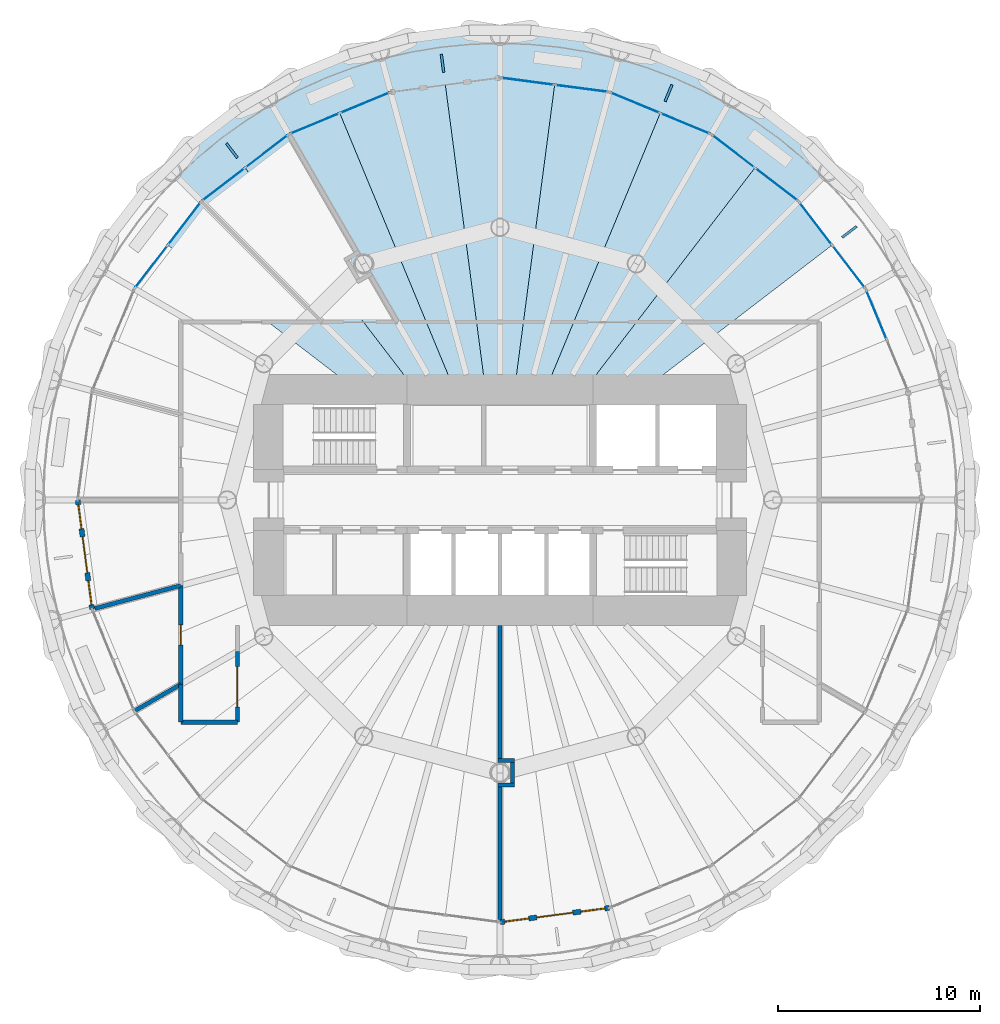
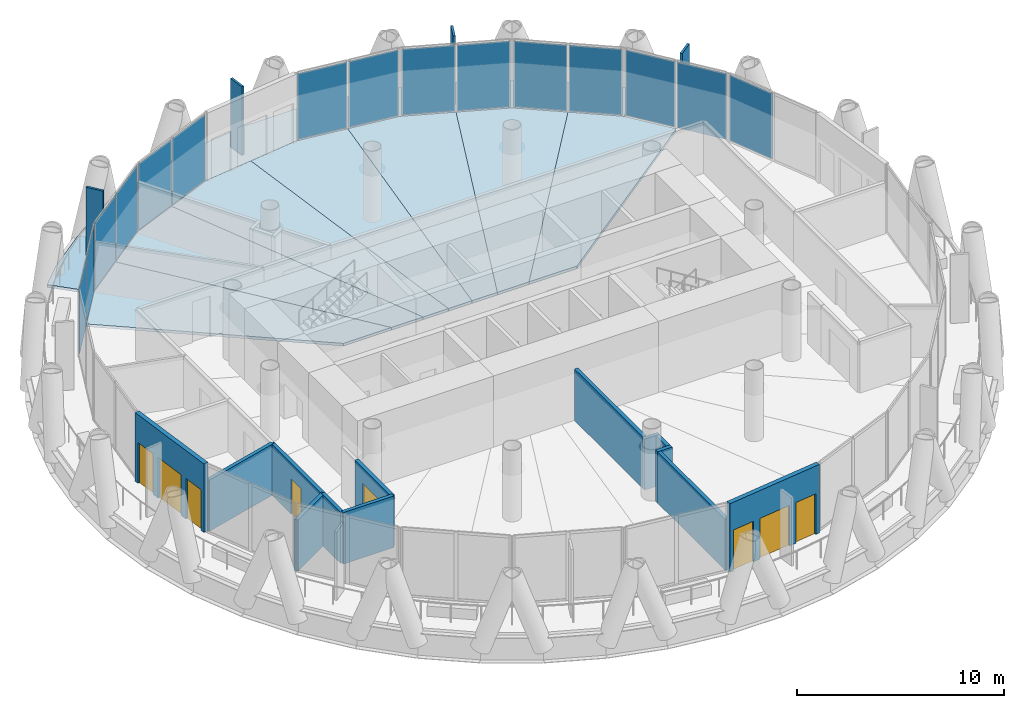
# One storey, part 9 of 14: 19 plates, 13 walls, 8 slabs, 4 doors, 4 windows, 8 openings, 8 elements without a shape of their own.
"""IFC4 building model written with IfcOpenShell, lengths in metres."""

import ifcopenshell
import ifcopenshell.guid

model = None  # the IFC model being written
_history = None  # IfcOwnerHistory: only IFC2X3 demands one
_inside = {}  # id of a spatial element -> (the spatial element, [elements in it])
_under = {}  # id of a project, library or spatial element -> (it, [spatial elements below it])
_declared = {}  # id of a project -> (the project, [libraries it declares])
_typed = {}  # id of a type object -> (the type object, [elements of that type])
_made_of = {}  # id of a material, layer set ... -> (it, [elements and type objects made of it])


def new_model(schema):
    """Start an empty IFC model of exactly this schema.

    Asked for "IFC4X3", IfcOpenShell would pick the latest addendum, in which some entities
    have other attributes; the version numbers below select the first issue.
    IFC2X3 requires an IfcOwnerHistory on every rooted entity: one is made here for all.
    """
    global model, _history
    if schema == "IFC4X3":
        model = ifcopenshell.file(schema_version=(4, 3, 0, 0))
    else:
        model = ifcopenshell.file(schema=schema)
    _inside.clear()
    _under.clear()
    _declared.clear()
    _typed.clear()
    _made_of.clear()
    _history = None
    if model.schema == "IFC2X3":
        org = make("IfcOrganization", Name="unknown")
        user = make(
            "IfcPersonAndOrganization",
            ThePerson=make("IfcPerson", FamilyName="unknown"),
            TheOrganization=org,
        )
        app = make(
            "IfcApplication",
            ApplicationDeveloper=org,
            Version="unknown",
            ApplicationFullName="unknown",
            ApplicationIdentifier="unknown",
        )
        _history = make(
            "IfcOwnerHistory",
            OwningUser=user,
            OwningApplication=app,
            ChangeAction="ADDED",
            CreationDate=0,
        )
    return model


def make(cls, **values):
    """One entity of the class cls with the attributes given. An attribute that is None is left unset."""
    return model.create_entity(
        cls, **{name: value for name, value in values.items() if value is not None}
    )


def rooted(cls, **values):
    """An entity with a GlobalId (a new one), such as an element, a storey or a relation."""
    return make(cls, GlobalId=ifcopenshell.guid.new(), OwnerHistory=_history, **values)


def si_unit(unit_type, name, prefix=None):
    """IfcSIUnit, for example si_unit("LENGTHUNIT", "METRE", prefix="MILLI")."""
    return make("IfcSIUnit", UnitType=unit_type, Prefix=prefix, Name=name)


def assignment(units):
    """IfcUnitAssignment: the units of a project."""
    return None if units is None else make("IfcUnitAssignment", Units=units)


def point(xyz):
    """IfcCartesianPoint."""
    return None if xyz is None else make("IfcCartesianPoint", Coordinates=xyz)


def direction(xyz):
    """IfcDirection."""
    return None if xyz is None else make("IfcDirection", DirectionRatios=xyz)


def frame(location, z_axis=None, x_axis=None):
    """IfcAxis2Placement3D, a coordinate frame: its origin and axes. An axis left out is left unset."""
    return make(
        "IfcAxis2Placement3D",
        Location=point(location),
        Axis=direction(z_axis),
        RefDirection=direction(x_axis),
    )


def frame_2d(location, x_axis=None):
    """IfcAxis2Placement2D, a coordinate frame in the plane: its origin and x axis."""
    return make(
        "IfcAxis2Placement2D", Location=point(location), RefDirection=direction(x_axis)
    )


def origin():
    """The frame at (0, 0, 0) with its axes left unset."""
    return frame((0.0, 0.0, 0.0))


def origin_2d():
    """The frame at (0, 0) in the plane with its x axis left unset."""
    return frame_2d((0.0, 0.0))


def place(relative_to, where):
    """IfcLocalPlacement: puts the frame where relative to a parent placement (None: the world)."""
    return make(
        "IfcLocalPlacement", PlacementRelTo=relative_to, RelativePlacement=where
    )


def context(
    kind, dimensions, precision=None, world=None, true_north=None, identifier=None
):
    """IfcGeometricRepresentationContext, for example the 3D "Model" context."""
    return make(
        "IfcGeometricRepresentationContext",
        ContextIdentifier=identifier,
        ContextType=kind,
        CoordinateSpaceDimension=dimensions,
        Precision=precision,
        WorldCoordinateSystem=world,
        TrueNorth=true_north,
    )


def subcontext(parent, identifier, kind, view, scale=None):
    """IfcGeometricRepresentationSubContext, for example "Body" below "Model"."""
    return make(
        "IfcGeometricRepresentationSubContext",
        ContextIdentifier=identifier,
        ContextType=kind,
        ParentContext=parent,
        TargetScale=scale,
        TargetView=view,
    )


def project(units=None, contexts=None):
    """IfcProject with its units and contexts."""
    return rooted(
        "IfcProject",
        Name="project",
        RepresentationContexts=contexts,
        UnitsInContext=assignment(units),
    )


def spatial(cls, under=None, at=None, **own):
    """A site, building, storey or space (cls), placed at a placement, below another one or the project."""
    s = rooted(cls, ObjectPlacement=at, **own)
    if under is not None:
        _under.setdefault(under.id(), (under, []))[1].append(s)
    return s


def polyline(points):
    """IfcPolyline through the points."""
    return make("IfcPolyline", Points=[point(p) for p in points])


def profile(cls, at=None, kind="AREA", **sizes):
    """A parametric profile (cls). Its sizes go by their IFC names, for example OverallWidth=200.0."""
    return make(cls, ProfileType=kind, Position=at, **sizes)


def rectangle(**sizes):
    """IfcRectangleProfileDef."""
    return profile("IfcRectangleProfileDef", **sizes)


def outline(outer, holes=None, kind="AREA"):
    """IfcArbitraryClosedProfileDef: a profile drawn as a closed curve; with holes, ...WithVoids."""
    if holes is None:
        return make("IfcArbitraryClosedProfileDef", ProfileType=kind, OuterCurve=outer)
    return make(
        "IfcArbitraryProfileDefWithVoids",
        ProfileType=kind,
        OuterCurve=outer,
        InnerCurves=holes,
    )


def extrude(swept, where, along, depth):
    """IfcExtrudedAreaSolid: the profile swept, set in the frame where, extruded along a direction by depth."""
    return make(
        "IfcExtrudedAreaSolid",
        SweptArea=swept,
        Position=where,
        ExtrudedDirection=direction(along),
        Depth=depth,
    )


def shape(context_of_items, identifier, shape_type, items):
    """IfcShapeRepresentation: the items that make up one representation, for example the "Body"."""
    return make(
        "IfcShapeRepresentation",
        ContextOfItems=context_of_items,
        RepresentationIdentifier=identifier,
        RepresentationType=shape_type,
        Items=items,
    )


def material(Name=None, Category=None):
    """IfcMaterial."""
    return make("IfcMaterial", Name=Name, Category=Category)


def layer(
    of_material, thickness, ventilated=None, Name=None, Category=None, Priority=None
):
    """IfcMaterialLayer: one layer of a wall or slab, of a material (None: an air gap)."""
    return make(
        "IfcMaterialLayer",
        Material=of_material,
        LayerThickness=thickness,
        IsVentilated=ventilated,
        Name=Name,
        Category=Category,
        Priority=Priority,
    )


def layer_set(layers, Name=None):
    """IfcMaterialLayerSet."""
    return make("IfcMaterialLayerSet", MaterialLayers=layers, LayerSetName=Name)


def made_of(thing, what):
    """Note that an element or type object is made of a material, layer set ...; save() writes the relation."""
    if what is not None:
        _made_of.setdefault(what.id(), (what, []))[1].append(thing)
    return thing


def type_object(cls, material=None, **own):
    """A type object (cls), such as IfcWallType, which elements share."""
    return made_of(rooted(cls, **own), material)


def element(
    cls,
    number,
    at=None,
    inside=None,
    cuts=None,
    type_object=None,
    material=None,
    context=None,
    identifier="Body",
    shape_type=None,
    held_by="IfcProductDefinitionShape",
    body=None,
    shapes=None,
    **own,
):
    """One element of the class cls, such as IfcWall. Its Tag is "e" and its number.

    at: its placement. inside: the storey or other place that contains it. cuts: it is an
    opening in that element (IfcRelVoidsElement). A single representation is given by context,
    identifier, shape_type and body (its items); several are given by shapes. held_by: the class
    of the entity that holds the representations. save() writes the other relations.
    """
    e = rooted(cls, Tag="e%d" % number, ObjectPlacement=at, **own)
    if body is not None:
        shapes = [shape(context, identifier, shape_type, body)]
    if shapes is not None:
        e.Representation = make(held_by, Representations=shapes)
    if inside is not None:
        _inside.setdefault(inside.id(), (inside, []))[1].append(e)
    if cuts is not None:
        rooted(
            "IfcRelVoidsElement", RelatingBuildingElement=cuts, RelatedOpeningElement=e
        )
    if type_object is not None:
        _typed.setdefault(type_object.id(), (type_object, []))[1].append(e)
    return made_of(e, material)


def fill(opening, filler):
    """IfcRelFillsElement: the door or window that sits in an opening."""
    return rooted(
        "IfcRelFillsElement",
        RelatingOpeningElement=opening,
        RelatedBuildingElement=filler,
    )


def aggregate(whole, parts):
    """IfcRelAggregates: a whole, such as a stair, and the parts it consists of."""
    return rooted("IfcRelAggregates", RelatingObject=whole, RelatedObjects=parts)


def save(model, path):
    """Write the relations noted so far, then the file.

    IfcRelAggregates (storeys below a building ...), IfcRelContainedInSpatialStructure (elements
    in a storey), IfcRelDefinesByType, IfcRelAssociatesMaterial and IfcRelDeclares: one each for
    every whole, place, type object, material and project.
    """
    for whole, parts in _under.values():
        aggregate(whole, parts)
    for where, things in _inside.values():
        rooted(
            "IfcRelContainedInSpatialStructure",
            RelatedElements=things,
            RelatingStructure=where,
        )
    for kind, things in _typed.values():
        rooted("IfcRelDefinesByType", RelatedObjects=things, RelatingType=kind)
    for what, things in _made_of.values():
        rooted("IfcRelAssociatesMaterial", RelatedObjects=things, RelatingMaterial=what)
    for by, libraries in _declared.values():
        rooted("IfcRelDeclares", RelatingContext=by, RelatedDefinitions=libraries)
    model.write(path)


model = new_model("IFC4")

# Units and contexts
model_context = context("Model", 3, precision=1e-05, world=origin(), true_north=direction((0.0, 1.0)))
body_context = subcontext(model_context, "Body", "Model", "MODEL_VIEW")
ifc_project = project(units=[si_unit("LENGTHUNIT", "METRE"), si_unit("AREAUNIT", "SQUARE_METRE"), si_unit("VOLUMEUNIT", "CUBIC_METRE"), si_unit("PLANEANGLEUNIT", "RADIAN"), si_unit("MASSUNIT", "GRAM", prefix="KILO")], contexts=[model_context])

# Site, building, storey
site_placement = place(None, origin())
site = spatial("IfcSite", under=ifc_project, at=site_placement, CompositionType="ELEMENT")
building_placement = place(site_placement, origin())
building = spatial("IfcBuilding", under=site, at=building_placement, Name="Qaws Media Tower", CompositionType="ELEMENT")
storey_placement = place(building_placement, frame((0.0, 0.0, 206.60009765625)))
storey = spatial("IfcBuildingStorey", under=building, at=storey_placement, Name="L47", CompositionType="ELEMENT", Elevation=206.60009765625)

# Slabs
ifc_material_1 = material(Name="Concrete C35/45", Category="concrete")
ifc_layer_1 = layer(ifc_material_1, 0.159912109375)
ifc_layer_set_1 = layer_set([ifc_layer_1], Name="Composite balcony slab 160")
slab_type_1 = type_object("IfcSlabType", Name="Composite balcony slab 160", PredefinedType="FLOOR", material=ifc_layer_set_1)
slab_1_placement = place(storey_placement, frame((0.0, 0.0, -0.16015625)))
element("IfcSlab", 1, at=slab_1_placement, inside=storey, type_object=slab_type_1, Name="S2 balcony slab L47 R04 to R10, movement joints on R04 and R10", PredefinedType="FLOOR", context=body_context, shape_type="SweptSolid", body=[
    extrude(outline(polyline([(44.63720703125, 67.517822265625), (47.05517578125, 69.373291015625), (49.694580078125, 70.897216796875), (52.510498046875, 72.0634765625), (55.454345703125, 72.852294921875), (58.47607421875, 73.25), (61.52392578125, 73.25), (64.545654296875, 72.852294921875), (67.489501953125, 72.0634765625), (70.305419921875, 70.897216796875), (72.94482421875, 69.373291015625), (75.36279296875, 67.517822265625), (76.440185546875, 66.440185546875), (74.778564453125, 64.778564453125), (70.449951171875, 68.099853515625), (65.4091796875, 70.187744140625), (60.0, 70.89990234375), (54.5908203125, 70.187744140625), (49.550048828125, 68.099853515625), (45.221435546875, 64.778564453125), (43.559814453125, 66.440185546875), (44.63720703125, 67.517822265625)])), origin(), (0.0, 0.0, 1.0), 0.16015625),
])
ifc_material_2 = material(Name="Concrete C35/45", Category="concrete")
ifc_layer_2 = layer(ifc_material_2, 0.159912109375)
ifc_layer_set_2 = layer_set([ifc_layer_2], Name="Composite floor slab 160")
slab_type_2 = type_object("IfcSlabType", Name="Composite floor slab 160", PredefinedType="FLOOR", material=ifc_layer_set_2)
slab_2_placement = place(storey_placement, frame((0.0, 0.0, -0.16015625)))
element("IfcSlab", 2, at=slab_2_placement, inside=storey, type_object=slab_type_2, Name="S1 floor panel L47 on R04", PredefinedType="FLOOR", context=body_context, shape_type="SweptSolid", body=[
    extrude(outline(polyline([(74.778564453125, 64.778564453125), (76.439208984375, 62.6142578125), (66.51611328125, 55.0), (63.836669921875, 55.0), (72.6142578125, 66.439208984375), (74.778564453125, 64.778564453125)])), origin(), (0.0, 0.0, 1.0), 0.16015625),
])
slab_3_placement = place(storey_placement, frame((0.0, 0.0, -0.16015625)))
element("IfcSlab", 3, at=slab_3_placement, inside=storey, type_object=slab_type_2, Name="S1 floor panel L47 on R05", PredefinedType="FLOOR", context=body_context, shape_type="SweptSolid", body=[
    extrude(outline(polyline([(70.449951171875, 68.099853515625), (72.6142578125, 66.439208984375), (63.836669921875, 55.0), (62.071044921875, 55.0), (67.9296875, 69.143798828125), (70.449951171875, 68.099853515625)])), origin(), (0.0, 0.0, 1.0), 0.16015625),
])
slab_4_placement = place(storey_placement, frame((0.0, 0.0, -0.16015625)))
element("IfcSlab", 4, at=slab_4_placement, inside=storey, type_object=slab_type_2, Name="S1 floor panel L47 on R06", PredefinedType="FLOOR", context=body_context, shape_type="SweptSolid", body=[
    extrude(outline(polyline([(65.4091796875, 70.187744140625), (67.9296875, 69.143798828125), (62.071044921875, 55.0), (60.658203125, 55.0), (62.70458984375, 70.5439453125), (65.4091796875, 70.187744140625)])), origin(), (0.0, 0.0, 1.0), 0.16015625),
])
slab_5_placement = place(storey_placement, frame((0.0, 0.0, -0.16015625)))
element("IfcSlab", 5, at=slab_5_placement, inside=storey, type_object=slab_type_2, Name="S1 floor panel L47 on R07", PredefinedType="FLOOR", context=body_context, shape_type="SweptSolid", body=[
    extrude(outline(polyline([(60.0, 70.89990234375), (62.70458984375, 70.5439453125), (60.658203125, 55.0), (59.341796875, 55.0), (57.29541015625, 70.5439453125), (60.0, 70.89990234375)])), origin(), (0.0, 0.0, 1.0), 0.16015625),
])
slab_6_placement = place(storey_placement, frame((0.0, 0.0, -0.16015625)))
element("IfcSlab", 6, at=slab_6_placement, inside=storey, type_object=slab_type_2, Name="S1 floor panel L47 on R08", PredefinedType="FLOOR", context=body_context, shape_type="SweptSolid", body=[
    extrude(outline(polyline([(54.5908203125, 70.187744140625), (57.29541015625, 70.5439453125), (59.341796875, 55.0), (57.928955078125, 55.0), (52.0703125, 69.143798828125), (54.5908203125, 70.187744140625)])), origin(), (0.0, 0.0, 1.0), 0.16015625),
])
slab_7_placement = place(storey_placement, frame((0.0, 0.0, -0.16015625)))
element("IfcSlab", 7, at=slab_7_placement, inside=storey, type_object=slab_type_2, Name="S1 floor panel L47 on R09", PredefinedType="FLOOR", context=body_context, shape_type="SweptSolid", body=[
    extrude(outline(polyline([(49.550048828125, 68.099853515625), (52.0703125, 69.143798828125), (57.928955078125, 55.0), (56.163330078125, 55.0), (47.3857421875, 66.439208984375), (49.550048828125, 68.099853515625)])), origin(), (0.0, 0.0, 1.0), 0.16015625),
])
slab_8_placement = place(storey_placement, frame((0.0, 0.0, -0.16015625)))
element("IfcSlab", 8, at=slab_8_placement, inside=storey, type_object=slab_type_2, Name="S1 floor panel L47 on R10", PredefinedType="FLOOR", context=body_context, shape_type="SweptSolid", body=[
    extrude(outline(polyline([(45.221435546875, 64.778564453125), (47.3857421875, 66.439208984375), (56.163330078125, 55.0), (53.48388671875, 55.0), (43.560791015625, 62.6142578125), (45.221435546875, 64.778564453125)])), origin(), (0.0, 0.0, 1.0), 0.16015625),
])

# Curtain wall, plate
ifc_material_3 = material(Name="Aluminium and clear glass", Category="aluminium")
curtain_wall_type = type_object("IfcCurtainWallType", Name="Unitised curtain wall CW-C", PredefinedType="NOTDEFINED", material=ifc_material_3)
curtain_wall_1_placement = place(storey_placement, origin())
curtain_wall_1 = element("IfcCurtainWall", 9, at=curtain_wall_1_placement, inside=storey, type_object=curtain_wall_type, Name="CWC curtain wall L47-02", PredefinedType="NOTDEFINED")
ifc_material_4 = material(Name="Clear laminated double glazing", Category="glass")
ifc_layer_3 = layer(ifc_material_4, 0.031982421875)
ifc_layer_set_3 = layer_set([ifc_layer_3], Name="Curtain wall glass unit 32")
plate_type_1 = type_object("IfcPlateType", Name="Curtain wall glass unit 32", PredefinedType="CURTAIN_PANEL", material=ifc_layer_set_3)
plate_1_placement = place(storey_placement, frame((78.629638671875, 59.17138671875, 0.080078125), z_axis=(0.0, 0.0, 1.0), x_axis=(-0.382683456149, 0.92387952266, 0.0)))
plate_1 = element("IfcPlate", 10, at=plate_1_placement, type_object=plate_type_1, Name="CWC panel 2.1", PredefinedType="CURTAIN_PANEL", context=body_context, shape_type="SweptSolid", body=[
    extrude(rectangle(XDim=2.60791015625, YDim=0.031982421875, at=origin_2d()), origin(), (0.0, 0.0, 1.0), 3.8798828125),
])
aggregate(curtain_wall_1, [plate_1])

# Curtain wall, plates
curtain_wall_2_placement = place(storey_placement, origin())
curtain_wall_2 = element("IfcCurtainWall", 11, at=curtain_wall_2_placement, inside=storey, type_object=curtain_wall_type, Name="CWC curtain wall L47-03", PredefinedType="NOTDEFINED")
plate_2_placement = place(storey_placement, frame((77.25732421875, 61.548095703125, 0.080078125), z_axis=(0.0, 0.0, 1.0), x_axis=(-0.608761380338, 0.793353377638, 0.0)))
plate_2 = element("IfcPlate", 12, at=plate_2_placement, type_object=plate_type_1, Name="CWC panel 1.1", PredefinedType="CURTAIN_PANEL", context=body_context, shape_type="SweptSolid", body=[
    extrude(rectangle(XDim=2.60791015625, YDim=0.031982421875, at=origin_2d()), origin(), (0.0, 0.0, 1.0), 3.8798828125),
])
plate_3_placement = place(storey_placement, frame((75.62109375, 63.680419921875, 0.080078125), z_axis=(0.0, 0.0, 1.0), x_axis=(-0.608761380338, 0.793353377638, 0.0)))
plate_3 = element("IfcPlate", 13, at=plate_3_placement, type_object=plate_type_1, Name="CWC panel 2.1", PredefinedType="CURTAIN_PANEL", context=body_context, shape_type="SweptSolid", body=[
    extrude(rectangle(XDim=2.60791015625, YDim=0.031982421875, at=origin_2d()), origin(), (0.0, 0.0, 1.0), 3.8798828125),
])
aggregate(curtain_wall_2, [plate_2, plate_3])

curtain_wall_3_placement = place(storey_placement, origin())
curtain_wall_3 = element("IfcCurtainWall", 14, at=curtain_wall_3_placement, inside=storey, type_object=curtain_wall_type, Name="CWC curtain wall L47-04", PredefinedType="NOTDEFINED")
plate_4_placement = place(storey_placement, frame((73.680419921875, 65.62109375, 0.080078125), z_axis=(0.0, 0.0, 1.0), x_axis=(-0.793353377638, 0.608761380338, 0.0)))
plate_4 = element("IfcPlate", 15, at=plate_4_placement, type_object=plate_type_1, Name="CWC panel 1.1", PredefinedType="CURTAIN_PANEL", context=body_context, shape_type="SweptSolid", body=[
    extrude(rectangle(XDim=2.60791015625, YDim=0.031982421875, at=origin_2d()), origin(), (0.0, 0.0, 1.0), 3.8798828125),
])
plate_5_placement = place(storey_placement, frame((71.548095703125, 67.25732421875, 0.080078125), z_axis=(0.0, 0.0, 1.0), x_axis=(-0.793353377638, 0.608761380338, 0.0)))
plate_5 = element("IfcPlate", 16, at=plate_5_placement, type_object=plate_type_1, Name="CWC panel 2.1", PredefinedType="CURTAIN_PANEL", context=body_context, shape_type="SweptSolid", body=[
    extrude(rectangle(XDim=2.60791015625, YDim=0.031982421875, at=origin_2d()), origin(), (0.0, 0.0, 1.0), 3.8798828125),
])
aggregate(curtain_wall_3, [plate_4, plate_5])

curtain_wall_4_placement = place(storey_placement, origin())
curtain_wall_4 = element("IfcCurtainWall", 17, at=curtain_wall_4_placement, inside=storey, type_object=curtain_wall_type, Name="CWC curtain wall L47-05", PredefinedType="NOTDEFINED")
plate_6_placement = place(storey_placement, frame((69.17138671875, 68.629638671875, 0.080078125), z_axis=(0.0, 0.0, 1.0), x_axis=(-0.92387952266, 0.382683456149, 0.0)))
plate_6 = element("IfcPlate", 18, at=plate_6_placement, type_object=plate_type_1, Name="CWC panel 1.1", PredefinedType="CURTAIN_PANEL", context=body_context, shape_type="SweptSolid", body=[
    extrude(rectangle(XDim=2.60791015625, YDim=0.031982421875, at=origin_2d()), origin(), (0.0, 0.0, 1.0), 3.8798828125),
])
plate_7_placement = place(storey_placement, frame((66.68798828125, 69.658203125, 0.080078125), z_axis=(0.0, 0.0, 1.0), x_axis=(-0.92387952266, 0.382683456149, 0.0)))
plate_7 = element("IfcPlate", 19, at=plate_7_placement, type_object=plate_type_1, Name="CWC panel 2.1", PredefinedType="CURTAIN_PANEL", context=body_context, shape_type="SweptSolid", body=[
    extrude(rectangle(XDim=2.60791015625, YDim=0.031982421875, at=origin_2d()), origin(), (0.0, 0.0, 1.0), 3.8798828125),
])
aggregate(curtain_wall_4, [plate_6, plate_7])

curtain_wall_5_placement = place(storey_placement, origin())
curtain_wall_5 = element("IfcCurtainWall", 20, at=curtain_wall_5_placement, inside=storey, type_object=curtain_wall_type, Name="CWC curtain wall L47-06", PredefinedType="NOTDEFINED")
plate_8_placement = place(storey_placement, frame((64.037109375, 70.368408203125, 0.080078125), z_axis=(0.0, 0.0, 1.0), x_axis=(-0.991444866709, 0.130526151694, 0.0)))
plate_8 = element("IfcPlate", 21, at=plate_8_placement, type_object=plate_type_1, Name="CWC panel 1.1", PredefinedType="CURTAIN_PANEL", context=body_context, shape_type="SweptSolid", body=[
    extrude(rectangle(XDim=2.60791015625, YDim=0.031982421875, at=origin_2d()), origin(), (0.0, 0.0, 1.0), 3.8798828125),
])
plate_9_placement = place(storey_placement, frame((61.3720703125, 70.71923828125, 0.080078125), z_axis=(0.0, 0.0, 1.0), x_axis=(-0.991444866709, 0.130526151694, 0.0)))
plate_9 = element("IfcPlate", 22, at=plate_9_placement, type_object=plate_type_1, Name="CWC panel 2.1", PredefinedType="CURTAIN_PANEL", context=body_context, shape_type="SweptSolid", body=[
    extrude(rectangle(XDim=2.60791015625, YDim=0.031982421875, at=origin_2d()), origin(), (0.0, 0.0, 1.0), 3.8798828125),
])
aggregate(curtain_wall_5, [plate_8, plate_9])

curtain_wall_6_placement = place(storey_placement, origin())
curtain_wall_6 = element("IfcCurtainWall", 23, at=curtain_wall_6_placement, inside=storey, type_object=curtain_wall_type, Name="CWC curtain wall L47-08", PredefinedType="NOTDEFINED")
plate_10_placement = place(storey_placement, frame((53.31201171875, 69.658203125, 0.080078125), z_axis=(0.0, 0.0, 1.0), x_axis=(-0.92387952266, -0.382683456149, 0.0)))
plate_10 = element("IfcPlate", 24, at=plate_10_placement, type_object=plate_type_1, Name="CWC panel 1.1", PredefinedType="CURTAIN_PANEL", context=body_context, shape_type="SweptSolid", body=[
    extrude(rectangle(XDim=2.60791015625, YDim=0.031982421875, at=origin_2d()), origin(), (0.0, 0.0, 1.0), 3.8798828125),
])
plate_11_placement = place(storey_placement, frame((50.82861328125, 68.629638671875, 0.080078125), z_axis=(0.0, 0.0, 1.0), x_axis=(-0.92387952266, -0.382683456149, 0.0)))
plate_11 = element("IfcPlate", 25, at=plate_11_placement, type_object=plate_type_1, Name="CWC panel 2.1", PredefinedType="CURTAIN_PANEL", context=body_context, shape_type="SweptSolid", body=[
    extrude(rectangle(XDim=2.60791015625, YDim=0.031982421875, at=origin_2d()), origin(), (0.0, 0.0, 1.0), 3.8798828125),
])
aggregate(curtain_wall_6, [plate_10, plate_11])

curtain_wall_7_placement = place(storey_placement, origin())
curtain_wall_7 = element("IfcCurtainWall", 26, at=curtain_wall_7_placement, inside=storey, type_object=curtain_wall_type, Name="CWC curtain wall L47-09", PredefinedType="NOTDEFINED")
plate_12_placement = place(storey_placement, frame((48.451904296875, 67.25732421875, 0.080078125), z_axis=(0.0, 0.0, 1.0), x_axis=(-0.793353377638, -0.608761380338, 0.0)))
plate_12 = element("IfcPlate", 27, at=plate_12_placement, type_object=plate_type_1, Name="CWC panel 1.1", PredefinedType="CURTAIN_PANEL", context=body_context, shape_type="SweptSolid", body=[
    extrude(rectangle(XDim=2.60791015625, YDim=0.031982421875, at=origin_2d()), origin(), (0.0, 0.0, 1.0), 3.8798828125),
])
plate_13_placement = place(storey_placement, frame((46.319580078125, 65.62109375, 0.080078125), z_axis=(0.0, 0.0, 1.0), x_axis=(-0.793353377638, -0.608761380338, 0.0)))
plate_13 = element("IfcPlate", 28, at=plate_13_placement, type_object=plate_type_1, Name="CWC panel 2.1", PredefinedType="CURTAIN_PANEL", context=body_context, shape_type="SweptSolid", body=[
    extrude(rectangle(XDim=2.60791015625, YDim=0.031982421875, at=origin_2d()), origin(), (0.0, 0.0, 1.0), 3.8798828125),
])
aggregate(curtain_wall_7, [plate_12, plate_13])

curtain_wall_8_placement = place(storey_placement, origin())
curtain_wall_8 = element("IfcCurtainWall", 29, at=curtain_wall_8_placement, inside=storey, type_object=curtain_wall_type, Name="CWC curtain wall L47-10", PredefinedType="NOTDEFINED")
plate_14_placement = place(storey_placement, frame((44.37890625, 63.680419921875, 0.080078125), z_axis=(0.0, 0.0, 1.0), x_axis=(-0.608761380338, -0.793353377638, 0.0)))
plate_14 = element("IfcPlate", 30, at=plate_14_placement, type_object=plate_type_1, Name="CWC panel 1.1", PredefinedType="CURTAIN_PANEL", context=body_context, shape_type="SweptSolid", body=[
    extrude(rectangle(XDim=2.60791015625, YDim=0.031982421875, at=origin_2d()), origin(), (0.0, 0.0, 1.0), 3.8798828125),
])
plate_15_placement = place(storey_placement, frame((42.74267578125, 61.548095703125, 0.080078125), z_axis=(0.0, 0.0, 1.0), x_axis=(-0.608761380338, -0.793353377638, 0.0)))
plate_15 = element("IfcPlate", 31, at=plate_15_placement, type_object=plate_type_1, Name="CWC panel 2.1", PredefinedType="CURTAIN_PANEL", context=body_context, shape_type="SweptSolid", body=[
    extrude(rectangle(XDim=2.60791015625, YDim=0.031982421875, at=origin_2d()), origin(), (0.0, 0.0, 1.0), 3.8798828125),
])
aggregate(curtain_wall_8, [plate_14, plate_15])

# Plates
ifc_material_5 = material(Name="Precast concrete screen fin", Category="concrete")
ifc_layer_4 = layer(ifc_material_5, 0.1201171875)
ifc_layer_set_4 = layer_set([ifc_layer_4], Name="Screen fin 120x900")
plate_type_2 = type_object("IfcPlateType", Name="Screen fin 120x900", PredefinedType="USERDEFINED", material=ifc_layer_set_4)
for number, where, z_axis, x_axis, name in (
    (32, (77.295166015625, 63.27099609375, 0.0), (0.0, 0.0, 1.0), (0.793353340291, 0.608761429009, 0.0), "SCR1 screen fin L47-02"),
    (33, (68.342529296875, 70.140625, 0.0), (0.0, 0.0, 1.0), (0.382683432365, 0.923879532511, 0.0), "SCR1 screen fin L47-03"),
    (34, (57.154541015625, 71.613525390625, 0.0), (0.0, 0.0, 1.0), (-0.13052619222, 0.991444861374, 0.0), "SCR1 screen fin L47-04"),
    (35, (46.72900390625, 67.295166015625, 0.0), (0.0, 0.0, 1.0), (-0.608761429009, 0.793353340291, 0.0), "SCR1 screen fin L47-05"),
):
    element("IfcPlate", number, at=place(storey_placement, frame(where, z_axis=z_axis, x_axis=x_axis)), inside=storey, type_object=plate_type_2, Name=name, ObjectType="SCREEN", PredefinedType="USERDEFINED", context=body_context, shape_type="SweptSolid", body=[
        extrude(rectangle(XDim=0.89990234375, YDim=0.1201171875, at=origin_2d()), origin(), (0.0, 0.0, 1.0), 4.0400390625),
    ])

# Wall, openings, door, windows
ifc_material_6 = material(Name="Precast concrete, exposed finish", Category="concrete")
ifc_layer_5 = layer(ifc_material_6, 0.25)
ifc_layer_set_5 = layer_set([ifc_layer_5], Name="Balcony door wall 250")
wall_type_1 = type_object("IfcWallType", Name="Balcony door wall 250", PredefinedType="SOLIDWALL", material=ifc_layer_set_5)
wall_1_placement = place(storey_placement, frame((39.10009765625, 50.0, 0.0), z_axis=(0.0, 0.0, 1.0), x_axis=(0.130525119492, -0.991445002601, 0.0)))
wall_1 = element("IfcWall", 36, at=wall_1_placement, inside=storey, type_object=wall_type_1, Name="W109 EW1 balcony door wall L47-13", PredefinedType="SOLIDWALL", context=body_context, shape_type="SweptSolid", body=[
    extrude(rectangle(XDim=5.4560546875, YDim=0.25, at=frame_2d((2.72802734375, 0.0))), origin(), (0.0, 0.0, 1.0), 4.039794921875),
])
opening_1_placement = place(wall_1_placement, frame((1.827880859375, 0.0, 0.0)))
opening_1 = element("IfcOpeningElement", 37, at=opening_1_placement, cuts=wall_1, Name="Opening D7", PredefinedType="OPENING", context=body_context, shape_type="SweptSolid", body=[
    extrude(rectangle(XDim=1.800048828125, YDim=2.39990234375, at=frame_2d((0.89990234375, 1.199951171875))), frame((0.0, 0.135009765625, 0.0), z_axis=(0.0, -1.0, 0.0), x_axis=(1.0, 0.0, 0.0)), (0.0, 0.0, 1.0), 0.27001953125),
])
opening_2_placement = place(wall_1_placement, frame((0.22802734375, 0.0, 0.0)))
opening_2 = element("IfcOpeningElement", 38, at=opening_2_placement, cuts=wall_1, Name="Opening W1", PredefinedType="OPENING", context=body_context, shape_type="SweptSolid", body=[
    extrude(rectangle(XDim=1.199951171875, YDim=2.39990234375, at=frame_2d((0.60009765625, 1.199951171875))), frame((0.0, 0.135009765625, 0.0), z_axis=(0.0, -1.0, 0.0), x_axis=(1.0, 0.0, 0.0)), (0.0, 0.0, 1.0), 0.27001953125),
])
opening_3_placement = place(wall_1_placement, frame((4.028076171875, 0.0, 0.0)))
opening_3 = element("IfcOpeningElement", 39, at=opening_3_placement, cuts=wall_1, Name="Opening W1", PredefinedType="OPENING", context=body_context, shape_type="SweptSolid", body=[
    extrude(rectangle(XDim=1.199951171875, YDim=2.39990234375, at=frame_2d((0.60009765625, 1.199951171875))), frame((0.0, 0.135009765625, 0.0), z_axis=(0.0, -1.0, 0.0), x_axis=(1.0, 0.0, 0.0)), (0.0, 0.0, 1.0), 0.27001953125),
])
ifc_material_7 = material(Name="Aluminium and clear glass", Category="aluminium")
door_type_1 = type_object("IfcDoorType", Name="Balcony door pair 1800", OperationType="DOUBLE_DOOR_SLIDING", PredefinedType="DOOR", material=ifc_material_7)
door_1_placement = place(opening_1_placement, origin())
door_1 = element("IfcDoor", 40, at=door_1_placement, inside=storey, type_object=door_type_1, Name="D7 balcony door L47-13 in wall W109", OperationType="DOUBLE_DOOR_SLIDING", OverallHeight=2.39990234375, OverallWidth=1.800048828125, PredefinedType="DOOR", context=body_context, shape_type="SweptSolid", body=[
    extrude(rectangle(XDim=1.800048828125, YDim=2.39990234375, at=frame_2d((0.89990234375, 1.199951171875))), frame((0.0, 0.02490234375, 0.0), z_axis=(0.0, -1.0, 0.0), x_axis=(1.0, 0.0, 0.0)), (0.0, 0.0, 1.0), 0.050048828125),
])
fill(opening_1, door_1)
ifc_material_8 = material(Name="Aluminium and clear glass", Category="aluminium")
window_type = type_object("IfcWindowType", Name="Balcony side window 1200", PartitioningType="SINGLE_PANEL", PredefinedType="WINDOW", material=ifc_material_8)
window_1_placement = place(opening_2_placement, origin())
window_1 = element("IfcWindow", 41, at=window_1_placement, inside=storey, type_object=window_type, Name="W1 balcony side light L47-13L", OverallHeight=2.39990234375, OverallWidth=1.199951171875, PartitioningType="SINGLE_PANEL", PredefinedType="WINDOW", context=body_context, shape_type="SweptSolid", body=[
    extrude(rectangle(XDim=1.199951171875, YDim=2.39990234375, at=frame_2d((0.60009765625, 1.199951171875))), frame((0.0, 0.030029296875, 0.0), z_axis=(0.0, -1.0, 0.0), x_axis=(1.0, 0.0, 0.0)), (0.0, 0.0, 1.0), 0.06005859375),
])
fill(opening_2, window_1)
window_2_placement = place(opening_3_placement, origin())
window_2 = element("IfcWindow", 42, at=window_2_placement, inside=storey, type_object=window_type, Name="W1 balcony side light L47-13R", OverallHeight=2.39990234375, OverallWidth=1.199951171875, PartitioningType="SINGLE_PANEL", PredefinedType="WINDOW", context=body_context, shape_type="SweptSolid", body=[
    extrude(rectangle(XDim=1.199951171875, YDim=2.39990234375, at=frame_2d((0.60009765625, 1.199951171875))), frame((0.0, 0.030029296875, 0.0), z_axis=(0.0, -1.0, 0.0), x_axis=(1.0, 0.0, 0.0)), (0.0, 0.0, 1.0), 0.06005859375),
])
fill(opening_3, window_2)

wall_2_placement = place(storey_placement, frame((60.0, 29.10009765625, 0.0), z_axis=(0.0, 0.0, 1.0), x_axis=(0.991445002601, 0.130525119492, 0.0)))
wall_2 = element("IfcWall", 43, at=wall_2_placement, inside=storey, type_object=wall_type_1, Name="W110 EW1 balcony door wall L47-19", PredefinedType="SOLIDWALL", context=body_context, shape_type="SweptSolid", body=[
    extrude(rectangle(XDim=5.4560546875, YDim=0.25, at=frame_2d((2.72802734375, 0.0))), origin(), (0.0, 0.0, 1.0), 4.039794921875),
])
opening_4_placement = place(wall_2_placement, frame((1.827880859375, 0.0, 0.0)))
opening_4 = element("IfcOpeningElement", 44, at=opening_4_placement, cuts=wall_2, Name="Opening D7", PredefinedType="OPENING", context=body_context, shape_type="SweptSolid", body=[
    extrude(rectangle(XDim=1.800048828125, YDim=2.39990234375, at=frame_2d((0.89990234375, 1.199951171875))), frame((0.0, 0.135009765625, 0.0), z_axis=(0.0, -1.0, 0.0), x_axis=(1.0, 0.0, 0.0)), (0.0, 0.0, 1.0), 0.27001953125),
])
opening_5_placement = place(wall_2_placement, frame((0.22802734375, 0.0, 0.0)))
opening_5 = element("IfcOpeningElement", 45, at=opening_5_placement, cuts=wall_2, Name="Opening W1", PredefinedType="OPENING", context=body_context, shape_type="SweptSolid", body=[
    extrude(rectangle(XDim=1.199951171875, YDim=2.39990234375, at=frame_2d((0.60009765625, 1.199951171875))), frame((0.0, 0.135009765625, 0.0), z_axis=(0.0, -1.0, 0.0), x_axis=(1.0, 0.0, 0.0)), (0.0, 0.0, 1.0), 0.27001953125),
])
opening_6_placement = place(wall_2_placement, frame((4.028076171875, 0.0, 0.0)))
opening_6 = element("IfcOpeningElement", 46, at=opening_6_placement, cuts=wall_2, Name="Opening W1", PredefinedType="OPENING", context=body_context, shape_type="SweptSolid", body=[
    extrude(rectangle(XDim=1.199951171875, YDim=2.39990234375, at=frame_2d((0.60009765625, 1.199951171875))), frame((0.0, 0.135009765625, 0.0), z_axis=(0.0, -1.0, 0.0), x_axis=(1.0, 0.0, 0.0)), (0.0, 0.0, 1.0), 0.27001953125),
])
door_2_placement = place(opening_4_placement, origin())
door_2 = element("IfcDoor", 47, at=door_2_placement, inside=storey, type_object=door_type_1, Name="D7 balcony door L47-19 in wall W110", OperationType="DOUBLE_DOOR_SLIDING", OverallHeight=2.39990234375, OverallWidth=1.800048828125, PredefinedType="DOOR", context=body_context, shape_type="SweptSolid", body=[
    extrude(rectangle(XDim=1.800048828125, YDim=2.39990234375, at=frame_2d((0.89990234375, 1.199951171875))), frame((0.0, 0.02490234375, 0.0), z_axis=(0.0, -1.0, 0.0), x_axis=(1.0, 0.0, 0.0)), (0.0, 0.0, 1.0), 0.050048828125),
])
fill(opening_4, door_2)
window_3_placement = place(opening_5_placement, origin())
window_3 = element("IfcWindow", 48, at=window_3_placement, inside=storey, type_object=window_type, Name="W1 balcony side light L47-19L", OverallHeight=2.39990234375, OverallWidth=1.199951171875, PartitioningType="SINGLE_PANEL", PredefinedType="WINDOW", context=body_context, shape_type="SweptSolid", body=[
    extrude(rectangle(XDim=1.199951171875, YDim=2.39990234375, at=frame_2d((0.60009765625, 1.199951171875))), frame((0.0, 0.030029296875, 0.0), z_axis=(0.0, -1.0, 0.0), x_axis=(1.0, 0.0, 0.0)), (0.0, 0.0, 1.0), 0.06005859375),
])
fill(opening_5, window_3)
window_4_placement = place(opening_6_placement, origin())
window_4 = element("IfcWindow", 49, at=window_4_placement, inside=storey, type_object=window_type, Name="W1 balcony side light L47-19R", OverallHeight=2.39990234375, OverallWidth=1.199951171875, PartitioningType="SINGLE_PANEL", PredefinedType="WINDOW", context=body_context, shape_type="SweptSolid", body=[
    extrude(rectangle(XDim=1.199951171875, YDim=2.39990234375, at=frame_2d((0.60009765625, 1.199951171875))), frame((0.0, 0.030029296875, 0.0), z_axis=(0.0, -1.0, 0.0), x_axis=(1.0, 0.0, 0.0)), (0.0, 0.0, 1.0), 0.06005859375),
])
fill(opening_6, window_4)

# Wall, opening, door
ifc_material_9 = material(Name="Gypsum board on galvanised metal studs, acoustic double stud, deflection head", Category="gypsum")
ifc_layer_6 = layer(ifc_material_9, 0.199951171875)
ifc_layer_set_6 = layer_set([ifc_layer_6], Name="Room partition 200")
wall_type_2 = type_object("IfcWallType", Name="Room partition 200", PredefinedType="PARTITIONING", material=ifc_layer_set_6)
wall_3_placement = place(storey_placement, frame((47.0, 42.494384765625, 0.0), z_axis=(0.0, 0.0, 1.0), x_axis=(0.0, -1.0, 0.0)))
wall_3 = element("IfcWall", 50, at=wall_3_placement, inside=storey, type_object=wall_type_2, Name="W1366 IW3 partition L47", PredefinedType="PARTITIONING", context=body_context, shape_type="SweptSolid", body=[
    extrude(rectangle(XDim=3.494384765625, YDim=0.199951171875, at=frame_2d((1.7470703125, 0.0))), origin(), (0.0, 0.0, 1.0), 3.011962890625),
])
opening_7_placement = place(wall_3_placement, frame((0.747314453125, 0.0, 0.0)))
opening_7 = element("IfcOpeningElement", 51, at=opening_7_placement, cuts=wall_3, Name="Opening D6", PredefinedType="OPENING", context=body_context, shape_type="SweptSolid", body=[
    extrude(rectangle(XDim=2.0, YDim=2.10009765625, at=frame_2d((1.0, 1.050048828125))), frame((0.0, 0.10986328125, 0.0), z_axis=(0.0, -1.0, 0.0), x_axis=(1.0, 0.0, 0.0)), (0.0, 0.0, 1.0), 0.219970703125),
])
ifc_material_10 = material(Name="Steel, acoustic, fire rated", Category="steel")
door_type_2 = type_object("IfcDoorType", Name="Room door pair 2000", OperationType="DOUBLE_DOOR_DOUBLE_SWING", PredefinedType="DOOR", material=ifc_material_10)
door_3_placement = place(opening_7_placement, origin())
door_3 = element("IfcDoor", 52, at=door_3_placement, inside=storey, type_object=door_type_2, Name="D6 Tenant studio office door L47 in wall W1366", OperationType="DOUBLE_DOOR_DOUBLE_SWING", OverallHeight=2.10009765625, OverallWidth=2.0, PredefinedType="DOOR", context=body_context, shape_type="SweptSolid", body=[
    extrude(rectangle(XDim=2.0, YDim=2.10009765625, at=frame_2d((1.0, 1.050048828125))), frame((0.0, 0.02490234375, 0.0), z_axis=(0.0, -1.0, 0.0), x_axis=(1.0, 0.0, 0.0)), (0.0, 0.0, 1.0), 0.050048828125),
])
fill(opening_7, door_3)

# Walls
wall_4_placement = place(storey_placement, frame((47.0, 39.0, 0.0), z_axis=(0.0, 0.0, 1.0), x_axis=(-1.0, 0.0, 0.0)))
element("IfcWall", 53, at=wall_4_placement, inside=storey, type_object=wall_type_2, Name="W1222 IW3 partition L47", PredefinedType="PARTITIONING", context=body_context, shape_type="SweptSolid", body=[
    extrude(rectangle(XDim=2.800048828125, YDim=0.199951171875, at=frame_2d((1.39990234375, 0.0))), origin(), (0.0, 0.0, 1.0), 3.039794921875),
])
wall_5_placement = place(storey_placement, frame((44.199951171875, 39.0, 0.0), z_axis=(0.0, 0.0, 1.0), x_axis=(0.0, 1.0, 0.0)))
element("IfcWall", 54, at=wall_5_placement, inside=storey, type_object=wall_type_2, Name="W1360 IW3 partition L47", PredefinedType="PARTITIONING", context=body_context, shape_type="SweptSolid", body=[
    extrude(rectangle(XDim=1.8779296875, YDim=0.199951171875, at=frame_2d((0.93896484375, 0.0))), origin(), (0.0, 0.0, 1.0), 3.011962890625),
])

# Wall, opening, door
wall_6_placement = place(storey_placement, frame((44.199951171875, 40.8779296875, 0.0), z_axis=(0.0, 0.0, 1.0), x_axis=(0.0, 1.0, 0.0)))
wall_6 = element("IfcWall", 55, at=wall_6_placement, inside=storey, type_object=wall_type_2, Name="W1361 IW3 partition L47", PredefinedType="PARTITIONING", context=body_context, shape_type="SweptSolid", body=[
    extrude(rectangle(XDim=4.888427734375, YDim=0.199951171875, at=frame_2d((2.4443359375, 0.0))), origin(), (0.0, 0.0, 1.0), 3.011962890625),
])
opening_8_placement = place(wall_6_placement, frame((1.9443359375, 0.0, 0.0)))
opening_8 = element("IfcOpeningElement", 56, at=opening_8_placement, cuts=wall_6, Name="Opening D5", PredefinedType="OPENING", context=body_context, shape_type="SweptSolid", body=[
    extrude(rectangle(XDim=1.0, YDim=2.10009765625, at=frame_2d((0.5, 1.050048828125))), frame((0.0, 0.10986328125, 0.0), z_axis=(0.0, -1.0, 0.0), x_axis=(1.0, 0.0, 0.0)), (0.0, 0.0, 1.0), 0.219970703125),
])
ifc_material_11 = material(Name="Timber veneered, acoustic seal", Category="wood")
door_type_3 = type_object("IfcDoorType", Name="Room door 1000", OperationType="SINGLE_SWING_LEFT", PredefinedType="DOOR", material=ifc_material_11)
door_4_placement = place(opening_8_placement, origin())
door_4 = element("IfcDoor", 57, at=door_4_placement, inside=storey, type_object=door_type_3, Name="D5 Edit room door L47 in wall W1361", OperationType="SINGLE_SWING_LEFT", OverallHeight=2.10009765625, OverallWidth=1.0, PredefinedType="DOOR", context=body_context, shape_type="SweptSolid", body=[
    extrude(rectangle(XDim=1.0, YDim=2.10009765625, at=frame_2d((0.5, 1.050048828125))), frame((0.0, 0.02490234375, 0.0), z_axis=(0.0, -1.0, 0.0), x_axis=(1.0, 0.0, 0.0)), (0.0, 0.0, 1.0), 0.050048828125),
])
fill(opening_8, door_4)

# Walls
wall_7_placement = place(storey_placement, frame((44.197509765625, 45.765625, 0.0), z_axis=(0.0, 0.0, 1.0), x_axis=(-0.965932200741, -0.258795254151, 0.0)))
element("IfcWall", 58, at=wall_7_placement, inside=storey, type_object=wall_type_2, Name="W1546 IW3 partition L47", PredefinedType="PARTITIONING", context=body_context, shape_type="SweptSolid", body=[
    extrude(rectangle(XDim=4.39990234375, YDim=0.199951171875, at=frame_2d((2.199951171875, 0.0))), origin(), (0.0, 0.0, 1.0), 3.011962890625),
])
wall_8_placement = place(storey_placement, frame((44.20361328125, 40.8798828125, 0.0), z_axis=(0.0, 0.0, 1.0), x_axis=(-0.866038157305, -0.499977909603, 0.0)))
element("IfcWall", 59, at=wall_8_placement, inside=storey, type_object=wall_type_2, Name="W1548 IW3 partition L47", PredefinedType="PARTITIONING", context=body_context, shape_type="SweptSolid", body=[
    extrude(rectangle(XDim=2.61962890625, YDim=0.199951171875, at=frame_2d((1.309814453125, 0.0))), origin(), (0.0, 0.0, 1.0), 3.011962890625),
])
for number, where, z_axis, x_axis, name in (
    (60, (59.89990234375, 37.116943359375, 0.0), (0.0, 0.0, 1.0), (1.0, 0.0, 0.0), "W1538 IW3 partition return L47"),
    (61, (59.89990234375, 35.883056640625, 0.0), (0.0, 0.0, 1.0), (1.0, 0.0, 0.0), "W1537 IW3 partition return L47"),
):
    element("IfcWall", number, at=place(storey_placement, frame(where, z_axis=z_axis, x_axis=x_axis)), inside=storey, type_object=wall_type_2, Name=name, PredefinedType="PARTITIONING", context=body_context, shape_type="SweptSolid", body=[
        extrude(rectangle(XDim=0.8271484375, YDim=0.199951171875, at=frame_2d((0.41357421875, 0.0))), origin(), (0.0, 0.0, 1.0), 3.011962890625),
    ])
wall_9_placement = place(storey_placement, frame((60.626953125, 37.01708984375, 0.0), z_axis=(0.0, 0.0, 1.0), x_axis=(0.0, -1.0, 0.0)))
element("IfcWall", 62, at=wall_9_placement, inside=storey, type_object=wall_type_2, Name="W1541 IW3 partition return L47", PredefinedType="PARTITIONING", context=body_context, shape_type="SweptSolid", body=[
    extrude(rectangle(XDim=1.0341796875, YDim=0.199951171875, at=frame_2d((0.51708984375, 0.0))), origin(), (0.0, 0.0, 1.0), 3.011962890625),
])
wall_10_placement = place(storey_placement, frame((60.0, 43.800048828125, 0.0), z_axis=(0.0, 0.0, 1.0), x_axis=(0.0, -1.0, 0.0)))
element("IfcWall", 63, at=wall_10_placement, inside=storey, type_object=wall_type_2, Name="W1540 IW3 partition L47", PredefinedType="PARTITIONING", context=body_context, shape_type="SweptSolid", body=[
    extrude(rectangle(XDim=6.5830078125, YDim=0.199951171875, at=frame_2d((3.29150390625, 0.0))), origin(), (0.0, 0.0, 1.0), 3.039794921875),
])
wall_11_placement = place(storey_placement, frame((60.0, 35.782958984375, 0.0), z_axis=(0.0, 0.0, 1.0), x_axis=(0.0, -1.0, 0.0)))
element("IfcWall", 64, at=wall_11_placement, inside=storey, type_object=wall_type_2, Name="W1553 IW3 partition L47", PredefinedType="PARTITIONING", context=body_context, shape_type="SweptSolid", body=[
    extrude(rectangle(XDim=6.54296875, YDim=0.199951171875, at=frame_2d((3.271484375, 0.0))), origin(), (0.0, 0.0, 1.0), 3.011962890625),
])

save(model, "model.ifc")
